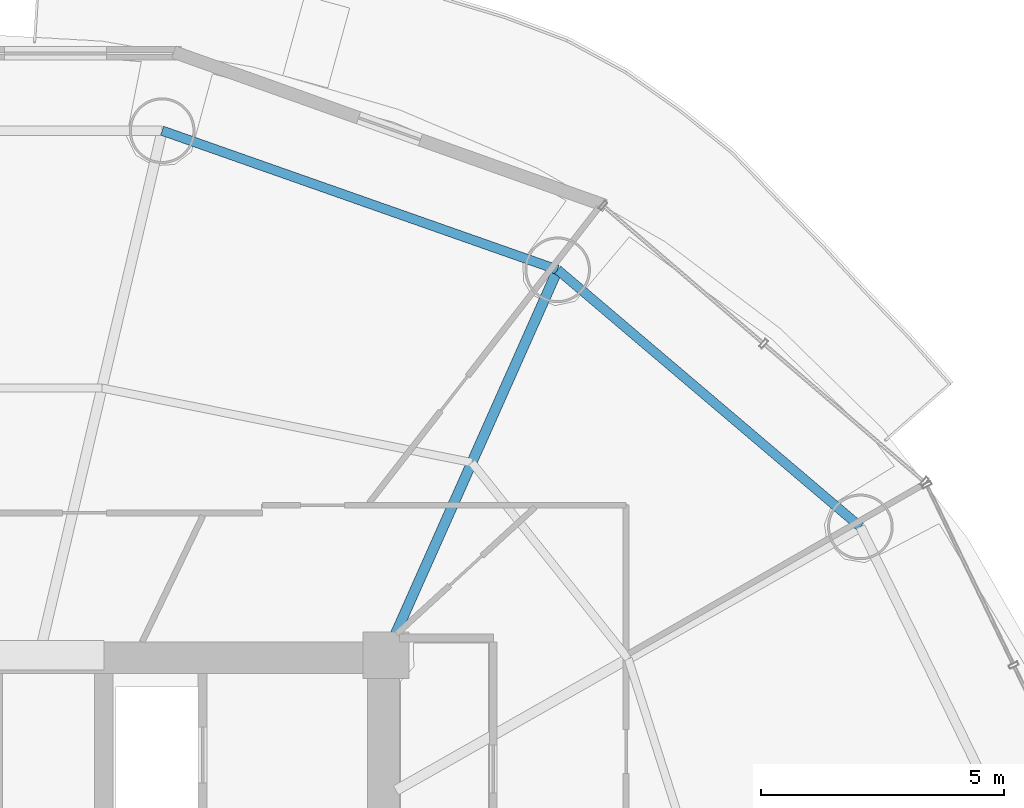
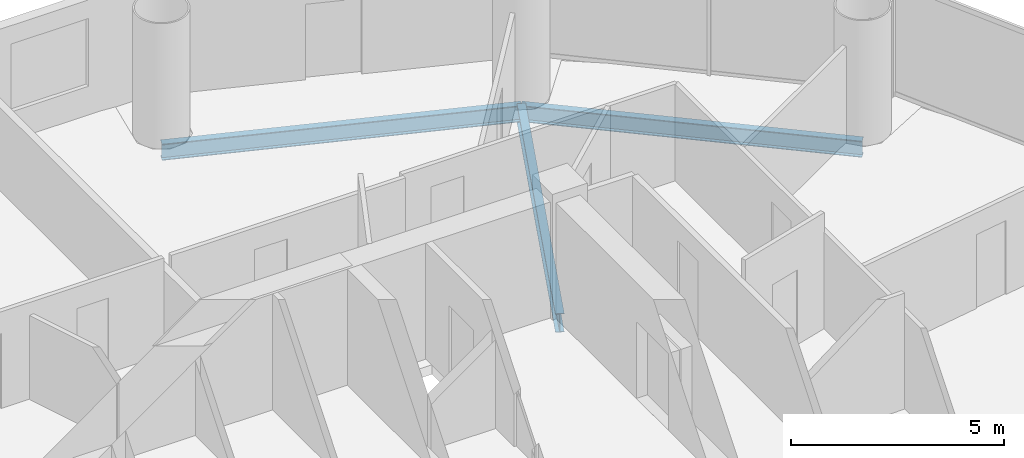
# One storey, part 18 of 27: 3 beams.
"""IFC4 building model written with IfcOpenShell, lengths in metres."""

from ifc_helpers import new_model, si_unit, direction, frame, origin, origin_2d, place, context, subcontext, project, spatial, i_section, extrude, material, material_profile, profile_set, type_object, element, save


model = new_model("IFC4")

# Units and contexts
model_context = context("Model", 3, precision=1e-05, world=origin(), true_north=direction((-0.2419218956, 0.970295726276)))
body_context = subcontext(model_context, "Body", "Model", "MODEL_VIEW")
ifc_project = project(units=[si_unit("LENGTHUNIT", "METRE"), si_unit("AREAUNIT", "SQUARE_METRE"), si_unit("VOLUMEUNIT", "CUBIC_METRE"), si_unit("PLANEANGLEUNIT", "RADIAN"), si_unit("MASSUNIT", "GRAM", prefix="KILO")], contexts=[model_context])

# Site, building, storey
site_placement = place(None, origin())
site = spatial("IfcSite", under=ifc_project, at=site_placement, CompositionType="ELEMENT")
building_placement = place(site_placement, origin())
building = spatial("IfcBuilding", under=site, at=building_placement, Name="Cobrevalo Terracotta Tower", CompositionType="ELEMENT")
storey_placement = place(building_placement, frame((0.0, 0.0, 149.800048828125)))
storey = spatial("IfcBuildingStorey", under=building, at=storey_placement, Name="L39", CompositionType="ELEMENT", Elevation=149.800048828125)

# Beams
ifc_material = material(Name="Steel S355", Category="steel")
ifc_material_profile_1 = material_profile(ifc_material, i_section(OverallWidth=0.2109375, OverallDepth=0.5390625, WebThickness=0.01171875, FlangeThickness=0.018798828125, at=origin_2d()), Name="W 530x109")
ifc_profile_set_1 = profile_set([ifc_material_profile_1], Name="Steel S355")
beam_type_1 = type_object("IfcBeamType", Name="Structural Beam W 530x109 (Steel S355)", PredefinedType="BEAM", material=ifc_profile_set_1)
beam_1_placement = place(storey_placement, frame((50.528076171875, 42.72265625, -0.53955078125), z_axis=(-0.406804395691, -0.913515289224, 0.0), x_axis=(0.913515289224, -0.406804395691, 0.0)))
element("IfcBeam", 1, at=beam_1_placement, inside=storey, type_object=beam_type_1, Name="L39 radial floor girder 03", PredefinedType="BEAM", context=body_context, shape_type="SweptSolid", body=[
    extrude(i_section(OverallWidth=0.2109375, OverallDepth=0.5390625, WebThickness=0.01171875, FlangeThickness=0.018798828125, at=origin_2d()), origin(), (0.0, 0.0, 1.0), 8.672607421875),
])
ifc_material_profile_2 = material_profile(ifc_material, i_section(OverallWidth=0.194091796875, OverallDepth=0.468994140625, WebThickness=0.011474609375, FlangeThickness=0.0205078125, at=origin_2d()), Name="W 460x106")
ifc_profile_set_2 = profile_set([ifc_material_profile_2], Name="Steel S355")
beam_type_2 = type_object("IfcBeamType", Name="Structural Spandrel W 460x106 (Steel S355)", PredefinedType="SPANDREL", material=ifc_profile_set_2)
beam_2_placement = place(storey_placement, frame((56.749755859375, 37.439208984375, -0.504638671875), z_axis=(-0.762240337798, 0.647294112003, 0.0), x_axis=(-0.647294112003, -0.762240337798, 0.0)))
element("IfcBeam", 2, at=beam_2_placement, inside=storey, type_object=beam_type_2, Name="L39 perimeter ring spandrel 02", PredefinedType="SPANDREL", context=body_context, shape_type="SweptSolid", body=[
    extrude(i_section(OverallWidth=0.194091796875, OverallDepth=0.468994140625, WebThickness=0.011474609375, FlangeThickness=0.0205078125, at=origin_2d()), origin(), (0.0, 0.0, 1.0), 8.162353515625),
])
beam_3_placement = place(storey_placement, frame((50.528076171875, 42.72265625, -0.504638671875), z_axis=(-0.943341298492, 0.331824041565, 0.0), x_axis=(-0.331824041565, -0.943341298492, 0.0)))
element("IfcBeam", 3, at=beam_3_placement, inside=storey, type_object=beam_type_2, Name="L39 perimeter ring spandrel 03", PredefinedType="SPANDREL", context=body_context, shape_type="SweptSolid", body=[
    extrude(i_section(OverallWidth=0.194091796875, OverallDepth=0.468994140625, WebThickness=0.011474609375, FlangeThickness=0.0205078125, at=origin_2d()), origin(), (0.0, 0.0, 1.0), 8.6171875),
])

save(model, "model.ifc")
